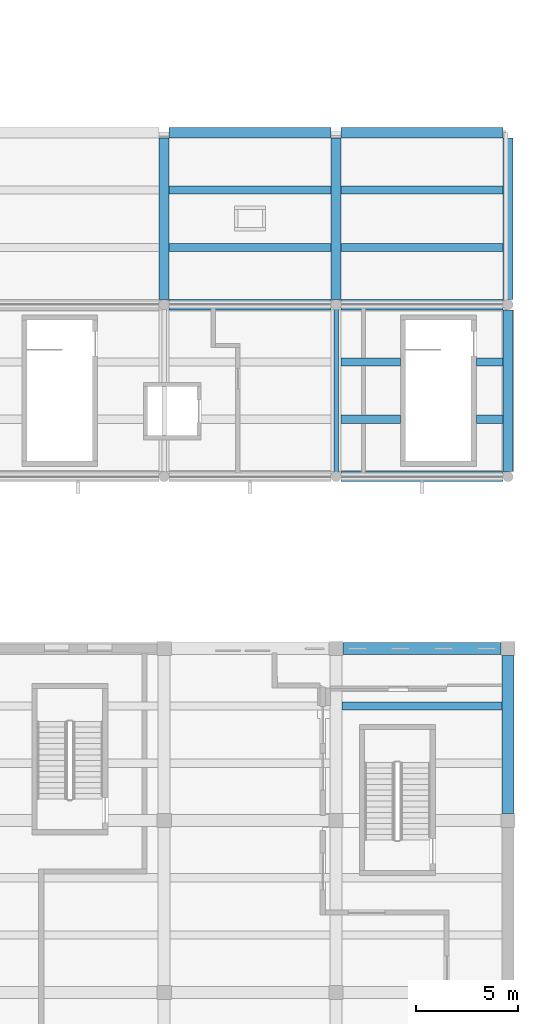
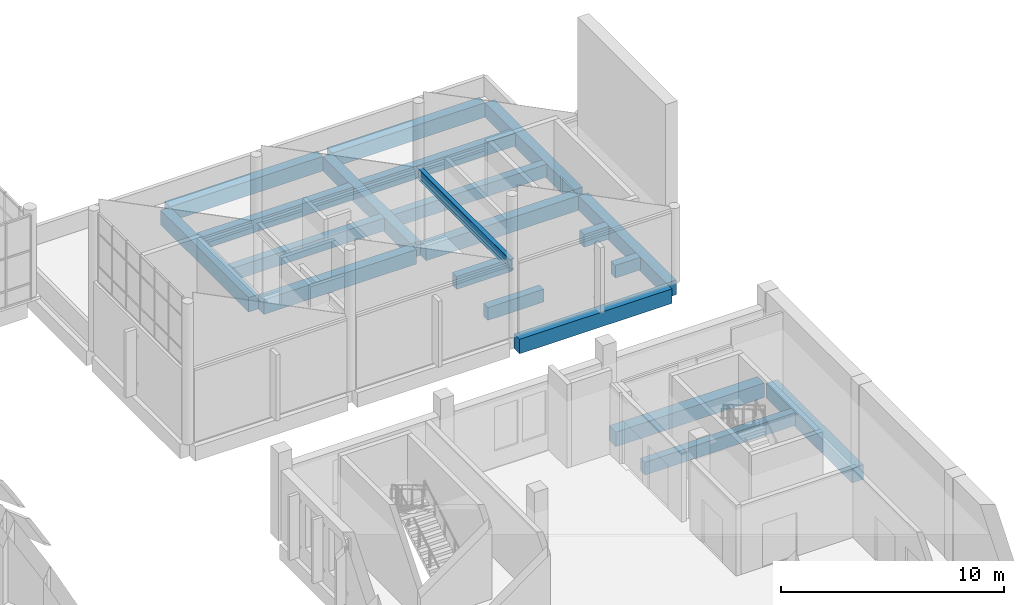
# One storey, part 35 of 119: 21 beams.
"""IFC4 building model written with IfcOpenShell, lengths in metres."""

from ifc_helpers import new_model, si_unit, direction, frame, origin, origin_2d, place, context, subcontext, project, spatial, rectangle, i_section, extrude, material, material_profile, profile_set, type_object, element, save


model = new_model("IFC4")

# Units and contexts
model_context = context("Model", 3, precision=1e-05, world=origin(), true_north=direction((0.0, 1.0)))
body_context = subcontext(model_context, "Body", "Model", "MODEL_VIEW")
ifc_project = project(units=[si_unit("LENGTHUNIT", "METRE"), si_unit("AREAUNIT", "SQUARE_METRE"), si_unit("VOLUMEUNIT", "CUBIC_METRE"), si_unit("PLANEANGLEUNIT", "RADIAN"), si_unit("MASSUNIT", "GRAM", prefix="KILO")], contexts=[model_context])

# Site, building, storey
site_placement = place(None, origin())
site = spatial("IfcSite", under=ifc_project, at=site_placement, CompositionType="ELEMENT")
building_placement = place(site_placement, origin())
building = spatial("IfcBuilding", under=site, at=building_placement, Name="Larchfold Concert Hall", CompositionType="ELEMENT")
storey_placement = place(building_placement, frame((0.0, 0.0, 4.800048828125)))
storey = spatial("IfcBuildingStorey", under=building, at=storey_placement, Name="L01", CompositionType="ELEMENT", Elevation=4.800048828125)

# Beams
ifc_material_1 = material(Name="Concrete C35/45", Category="concrete")
ifc_material_profile_1 = material_profile(ifc_material_1, rectangle(XDim=0.39990234375, YDim=0.699951171875, at=origin_2d()))
ifc_profile_set_1 = profile_set([ifc_material_profile_1], Name="Concrete C35/45")
beam_type_1 = type_object("IfcBeamType", Name="Beam RC 400x700", PredefinedType="BEAM", material=ifc_profile_set_1)
beam_1_placement = place(storey_placement, frame((93.300048828125, 98.60009765625, -0.550048828125), z_axis=(1.0, 0.0, 0.0), x_axis=(0.0, 1.0, 0.0)))
element("IfcBeam", 1, at=beam_1_placement, inside=storey, type_object=beam_type_1, Name="Beam B0961", PredefinedType="BEAM", context=body_context, shape_type="SweptSolid", body=[
    extrude(rectangle(XDim=0.39990234375, YDim=0.699951171875, at=origin_2d()), origin(), (0.0, 0.0, 1.0), 7.800048828125),
])
beam_2_placement = place(storey_placement, frame((93.25, 112.60009765625, -0.550048828125), z_axis=(1.0, 0.0, 0.0), x_axis=(0.0, 1.0, 0.0)))
element("IfcBeam", 2, at=beam_2_placement, inside=storey, type_object=beam_type_1, Name="Beam B1093", PredefinedType="BEAM", context=body_context, shape_type="SweptSolid", body=[
    extrude(rectangle(XDim=0.39990234375, YDim=0.699951171875, at=origin_2d()), origin(), (0.0, 0.0, 1.0), 2.89990234375),
])
beam_3_placement = place(storey_placement, frame((99.85009765625, 112.60009765625, -0.550048828125), z_axis=(1.0, 0.0, 0.0), x_axis=(0.0, 1.0, 0.0)))
element("IfcBeam", 3, at=beam_3_placement, inside=storey, type_object=beam_type_1, Name="Beam B1094", PredefinedType="BEAM", context=body_context, shape_type="SweptSolid", body=[
    extrude(rectangle(XDim=0.39990234375, YDim=0.699951171875, at=origin_2d()), origin(), (0.0, 0.0, 1.0), 1.2998046875),
])
beam_4_placement = place(storey_placement, frame((93.25, 115.39990234375, -0.550048828125), z_axis=(1.0, 0.0, 0.0), x_axis=(0.0, 1.0, 0.0)))
element("IfcBeam", 4, at=beam_4_placement, inside=storey, type_object=beam_type_1, Name="Beam B1098", PredefinedType="BEAM", context=body_context, shape_type="SweptSolid", body=[
    extrude(rectangle(XDim=0.39990234375, YDim=0.699951171875, at=origin_2d()), origin(), (0.0, 0.0, 1.0), 2.89990234375),
])
beam_5_placement = place(storey_placement, frame((99.85009765625, 115.39990234375, -0.550048828125), z_axis=(1.0, 0.0, 0.0), x_axis=(0.0, 1.0, 0.0)))
element("IfcBeam", 5, at=beam_5_placement, inside=storey, type_object=beam_type_1, Name="Beam B1099", PredefinedType="BEAM", context=body_context, shape_type="SweptSolid", body=[
    extrude(rectangle(XDim=0.39990234375, YDim=0.699951171875, at=origin_2d()), origin(), (0.0, 0.0, 1.0), 1.2998046875),
])
for number, where, z_axis, x_axis, name in (
    (6, (84.85009765625, 121.0, -0.550048828125), (1.0, 0.0, 0.0), (0.0, 1.0, 0.0), "Beam B1101"),
    (7, (93.25, 121.0, -0.550048828125), (1.0, 0.0, 0.0), (0.0, 1.0, 0.0), "Beam B1102"),
    (8, (84.85009765625, 123.800048828125, -0.550048828125), (1.0, 0.0, 0.0), (0.0, 1.0, 0.0), "Beam B1104"),
    (9, (93.25, 123.800048828125, -0.550048828125), (1.0, 0.0, 0.0), (0.0, 1.0, 0.0), "Beam B1105"),
):
    element("IfcBeam", number, at=place(storey_placement, frame(where, z_axis=z_axis, x_axis=x_axis)), inside=storey, type_object=beam_type_1, Name=name, PredefinedType="BEAM", context=body_context, shape_type="SweptSolid", body=[
        extrude(rectangle(XDim=0.39990234375, YDim=0.699951171875, at=origin_2d()), origin(), (0.0, 0.0, 1.0), 7.89990234375),
    ])
ifc_material_2 = material(Name="Concrete C35/45", Category="concrete")
ifc_material_profile_2 = material_profile(ifc_material_2, rectangle(XDim=0.5, YDim=0.800048828125, at=origin_2d()))
ifc_profile_set_2 = profile_set([ifc_material_profile_2], Name="Concrete C35/45")
beam_type_2 = type_object("IfcBeamType", Name="Beam RC 500x800", PredefinedType="BEAM", material=ifc_profile_set_2)
for number, where, z_axis, x_axis, name in (
    (10, (84.60009765625, 118.448974609375, -0.60009765625), (0.0, 1.0, 0.0), (-1.0, 0.0, 0.0), "Beam B1076"),
    (11, (93.0, 118.448974609375, -0.60009765625), (0.0, 1.0, 0.0), (-1.0, 0.0, 0.0), "Beam B1078"),
):
    element("IfcBeam", number, at=place(storey_placement, frame(where, z_axis=z_axis, x_axis=x_axis)), inside=storey, type_object=beam_type_2, Name=name, PredefinedType="BEAM", context=body_context, shape_type="SweptSolid", body=[
        extrude(rectangle(XDim=0.5, YDim=0.800048828125, at=origin_2d()), origin(), (0.0, 0.0, 1.0), 7.902099609375),
    ])
beam_6_placement = place(storey_placement, frame((101.39990234375, 110.048828125, -0.60009765625), z_axis=(0.0, 1.0, 0.0), x_axis=(-1.0, 0.0, 0.0)))
element("IfcBeam", 12, at=beam_6_placement, inside=storey, type_object=beam_type_2, Name="Beam B1079", PredefinedType="BEAM", context=body_context, shape_type="SweptSolid", body=[
    extrude(rectangle(XDim=0.5, YDim=0.800048828125, at=origin_2d()), origin(), (0.0, 0.0, 1.0), 7.90234375),
])
for number, where, z_axis, x_axis, name in (
    (13, (101.39990234375, 118.448974609375, -0.60009765625), (0.0, 1.0, 0.0), (-1.0, 0.0, 0.0), "Beam B1080"),
    (14, (93.2490234375, 109.800048828125, -0.60009765625), (1.0, 0.0, 0.0), (0.0, 1.0, 0.0), "Beam B1083"),
    (15, (84.848876953125, 118.199951171875, -0.60009765625), (1.0, 0.0, 0.0), (0.0, 1.0, 0.0), "Beam B1085"),
    (16, (93.2490234375, 118.199951171875, -0.60009765625), (1.0, 0.0, 0.0), (0.0, 1.0, 0.0), "Beam B1086"),
    (17, (84.848876953125, 126.60009765625, -0.60009765625), (1.0, 0.0, 0.0), (0.0, 1.0, 0.0), "Beam B1088"),
    (18, (93.2490234375, 126.60009765625, -0.60009765625), (1.0, 0.0, 0.0), (0.0, 1.0, 0.0), "Beam B1089"),
):
    element("IfcBeam", number, at=place(storey_placement, frame(where, z_axis=z_axis, x_axis=x_axis)), inside=storey, type_object=beam_type_2, Name=name, PredefinedType="BEAM", context=body_context, shape_type="SweptSolid", body=[
        extrude(rectangle(XDim=0.5, YDim=0.800048828125, at=origin_2d()), origin(), (0.0, 0.0, 1.0), 7.902099609375),
    ])
ifc_material_3 = material(Name="Concrete C35/45", Category="concrete")
ifc_material_profile_3 = material_profile(ifc_material_3, rectangle(XDim=0.60009765625, YDim=0.800048828125, at=origin_2d()))
ifc_profile_set_3 = profile_set([ifc_material_profile_3], Name="Concrete C35/45")
beam_type_3 = type_object("IfcBeamType", Name="Beam RC 600x800", PredefinedType="BEAM", material=ifc_profile_set_3)
for number, where, z_axis, x_axis, name in (
    (19, (101.39990234375, 93.35009765625, -0.60009765625), (0.0, 1.0, 0.0), (-1.0, 0.0, 0.0), "Beam B0917"),
    (20, (93.35009765625, 101.39990234375, -0.60009765625), (1.0, 0.0, 0.0), (0.0, 1.0, 0.0), "Beam B0933"),
):
    element("IfcBeam", number, at=place(storey_placement, frame(where, z_axis=z_axis, x_axis=x_axis)), inside=storey, type_object=beam_type_3, Name=name, PredefinedType="BEAM", context=body_context, shape_type="SweptSolid", body=[
        extrude(rectangle(XDim=0.60009765625, YDim=0.800048828125, at=origin_2d()), origin(), (0.0, 0.0, 1.0), 7.699951171875),
    ])
ifc_material_4 = material(Name="Steel S355", Category="steel")
ifc_material_profile_4 = material_profile(ifc_material_4, i_section(OverallWidth=0.219970703125, OverallDepth=0.60009765625, WebThickness=0.011962890625, FlangeThickness=0.01904296875, FilletRadius=0.02392578125, at=origin_2d()))
ifc_profile_set_4 = profile_set([ifc_material_profile_4], Name="Steel S355")
beam_type_4 = type_object("IfcBeamType", Name="Steel beam IPE 600", PredefinedType="BEAM", material=ifc_profile_set_4)
beam_7_placement = place(storey_placement, frame((93.0, 109.800048828125, 3.823974609375), z_axis=(0.0, 1.0, 0.0), x_axis=(-1.0, 0.0, 0.0)))
element("IfcBeam", 21, at=beam_7_placement, inside=storey, type_object=beam_type_4, Name="Beam B2096", PredefinedType="BEAM", context=body_context, shape_type="SweptSolid", body=[
    extrude(i_section(OverallWidth=0.219970703125, OverallDepth=0.60009765625, WebThickness=0.011962890625, FlangeThickness=0.01904296875, FilletRadius=0.02392578125, at=origin_2d()), origin(), (0.0, 0.0, 1.0), 8.39990234375),
])

save(model, "model.ifc")
